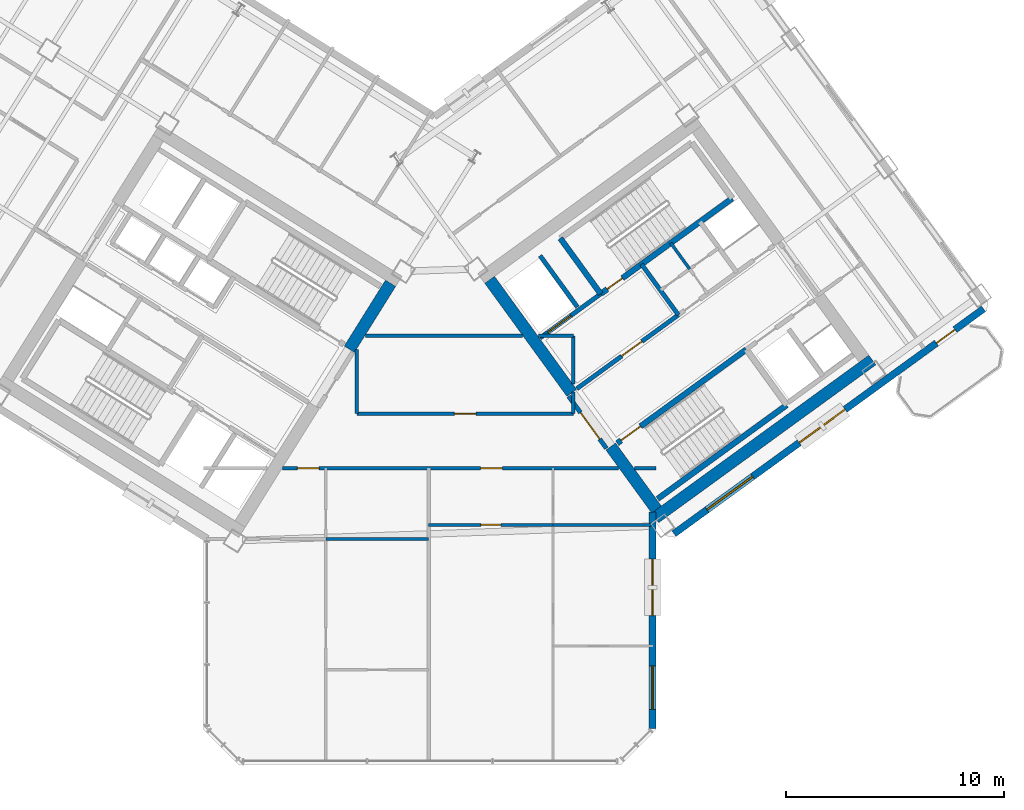
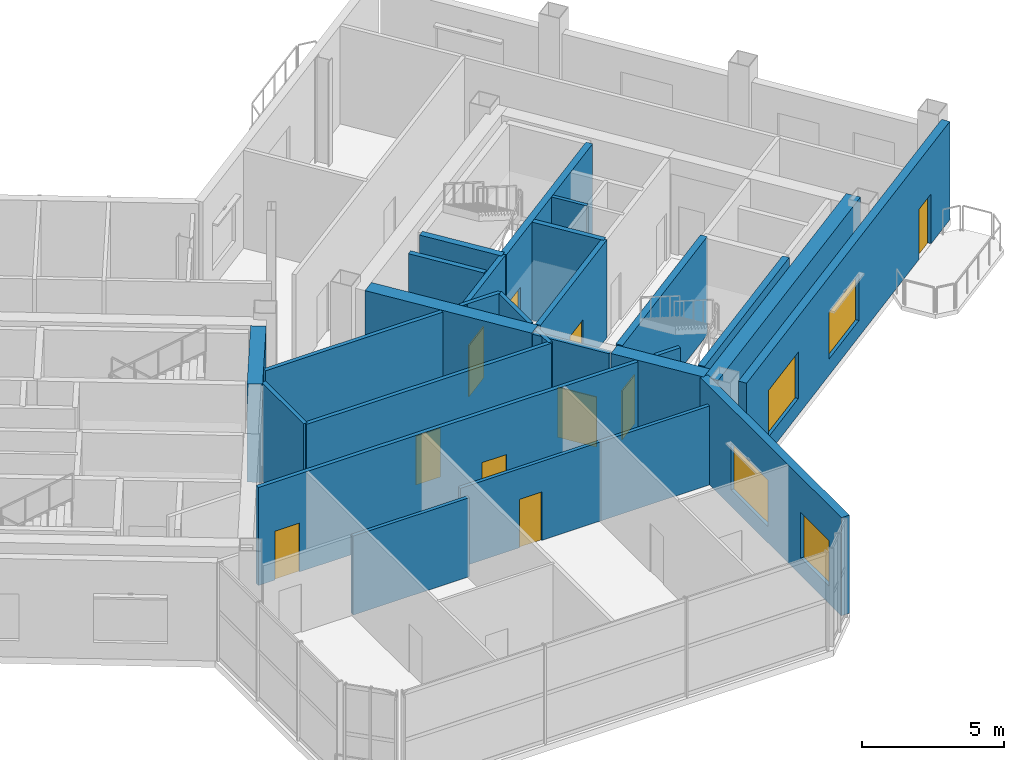
# One storey, part 13 of 20: 27 walls, 10 doors, 4 windows, 14 openings.
"""IFC4 building model written with IfcOpenShell, lengths in metres."""

from ifc_helpers import new_model, si_unit, direction, frame, frame_2d, origin, place, context, subcontext, project, spatial, rectangle, extrude, source, transform, mapped, material, layer, layer_set, type_object, element, fill, save


model = new_model("IFC4")

# Units and contexts
model_context = context("Model", 3, precision=1e-05, world=origin(), true_north=direction((0.0, 1.0)))
body_context = subcontext(model_context, "Body", "Model", "MODEL_VIEW")
ifc_project = project(units=[si_unit("LENGTHUNIT", "METRE"), si_unit("AREAUNIT", "SQUARE_METRE"), si_unit("VOLUMEUNIT", "CUBIC_METRE"), si_unit("PLANEANGLEUNIT", "RADIAN"), si_unit("MASSUNIT", "GRAM", prefix="KILO")], contexts=[model_context])

# Site, building, storey
site_placement = place(None, origin())
site = spatial("IfcSite", under=ifc_project, at=site_placement, CompositionType="ELEMENT")
building_placement = place(site_placement, origin())
building = spatial("IfcBuilding", under=site, at=building_placement, Name="Tlacorven Tower", CompositionType="ELEMENT")
storey_placement = place(building_placement, frame((0.0, 0.0, 195.0)))
storey = spatial("IfcBuildingStorey", under=building, at=storey_placement, Name="L49", CompositionType="ELEMENT", Elevation=195.0)

# Walls
ifc_material_1 = material(Name="Concrete C60/75", Category="concrete")
ifc_layer_1 = layer(ifc_material_1, 0.550048828125)
ifc_layer_set_1 = layer_set([ifc_layer_1], Name="Concrete C60/75")
wall_type_1 = type_object("IfcWallType", Name="WL-COR-550", PredefinedType="SHEAR", material=ifc_layer_set_1)
wall_1_placement = place(storey_placement, frame((40.194091796875, 23.92236328125, 0.0), z_axis=(0.0, 0.0, 1.0), x_axis=(-0.529888438328, -0.848067357541, 0.0)))
element("IfcWall", 1, at=wall_1_placement, inside=storey, type_object=wall_type_1, Name="L49 W core end wall E1.1", PredefinedType="SHEAR", context=body_context, shape_type="SweptSolid", body=[
    extrude(rectangle(XDim=3.574951171875, YDim=0.550048828125, at=frame_2d((1.78759765625, 0.0))), origin(), (0.0, 0.0, 1.0), 4.219970703125),
])
wall_2_placement = place(storey_placement, frame((52.35888671875, 13.1396484375, 0.0), z_axis=(0.0, 0.0, 1.0), x_axis=(0.809014896919, 0.587788139183, 0.0)))
element("IfcWall", 2, at=wall_2_placement, inside=storey, type_object=wall_type_1, Name="L49 E core shear wall S1", PredefinedType="SHEAR", context=body_context, shape_type="SweptSolid", body=[
    extrude(rectangle(XDim=12.340087890625, YDim=0.550048828125, at=frame_2d((6.169921875, 0.0))), origin(), (0.0, 0.0, 1.0), 4.219970703125),
])
wall_3_placement = place(storey_placement, frame((52.419677734375, 13.52392578125, 0.0), z_axis=(0.0, 0.0, 1.0), x_axis=(-0.587802113096, 0.809004744015, 0.0)))
element("IfcWall", 3, at=wall_3_placement, inside=storey, type_object=wall_type_1, Name="L49 E core end wall E1.1", PredefinedType="SHEAR", context=body_context, shape_type="SweptSolid", body=[
    extrude(rectangle(XDim=3.574951171875, YDim=0.550048828125, at=frame_2d((1.78759765625, 0.0))), origin(), (0.0, 0.0, 1.0), 4.219970703125),
])
wall_4_placement = place(storey_placement, frame((48.525634765625, 18.883544921875, 0.0), z_axis=(0.0, 0.0, 1.0), x_axis=(-0.587764933797, 0.809031756236, 0.0)))
element("IfcWall", 4, at=wall_4_placement, inside=storey, type_object=wall_type_1, Name="L49 E core end wall E1.2", PredefinedType="SHEAR", context=body_context, shape_type="SweptSolid", body=[
    extrude(rectangle(XDim=6.425048828125, YDim=0.550048828125, at=frame_2d((3.21240234375, 0.0))), origin(), (0.0, 0.0, 1.0), 4.219970703125),
])

# Wall, openings, doors
ifc_material_2 = material(Name="Gypsum plasterboard acoustic partition", Category="gypsum")
ifc_layer_2 = layer(ifc_material_2, 0.159912109375)
ifc_layer_set_2 = layer_set([ifc_layer_2], Name="Gypsum plasterboard acoustic partition")
wall_type_2 = type_object("IfcWallType", Name="WL-DEM-160", PredefinedType="PARTITIONING", material=ifc_layer_set_2)
wall_5_placement = place(storey_placement, frame((35.2373046875, 15.419921875, 0.0), z_axis=(0.0, 0.0, 1.0), x_axis=(1.0, 0.0, 0.0)))
wall_5 = element("IfcWall", 5, at=wall_5_placement, inside=storey, type_object=wall_type_2, Name="L49 Knuckle Corridor South Wall", PredefinedType="PARTITIONING", context=body_context, shape_type="SweptSolid", body=[
    extrude(rectangle(XDim=15.431640625, YDim=0.159912109375, at=frame_2d((7.7158203125, 0.0))), origin(), (0.0, 0.0, 1.0), 4.2099609375),
])
opening_1_placement = place(wall_5_placement, frame((0.673583984375, 0.0, 0.0)))
opening_1 = element("IfcOpeningElement", 6, at=opening_1_placement, cuts=wall_5, Name="Opening D11", PredefinedType="OPENING", context=body_context, shape_type="SweptSolid", body=[
    extrude(rectangle(XDim=1.0, YDim=2.10009765625, at=frame_2d((0.5, 1.050048828125))), frame((0.0, 0.08984375, 0.0), z_axis=(0.0, -1.0, 0.0), x_axis=(1.0, 0.0, 0.0)), (0.0, 0.0, 1.0), 0.179931640625),
])
opening_2_placement = place(wall_5_placement, frame((9.093994140625, 0.0, 0.0)))
opening_2 = element("IfcOpeningElement", 7, at=opening_2_placement, cuts=wall_5, Name="Opening D11", PredefinedType="OPENING", context=body_context, shape_type="SweptSolid", body=[
    extrude(rectangle(XDim=1.0, YDim=2.10009765625, at=frame_2d((0.5, 1.050048828125))), frame((0.0, 0.08984375, 0.0), z_axis=(0.0, -1.0, 0.0), x_axis=(1.0, 0.0, 0.0)), (0.0, 0.0, 1.0), 0.179931640625),
])
ifc_material_3 = material(Name="Fire-rated steel door assembly", Category="steel")
door_type_1 = type_object("IfcDoorType", Name="DR-FLT-FD60-1000", OperationType="NOTDEFINED", PredefinedType="DOOR", material=ifc_material_3)
shared_shape_1 = source(origin(), body_context, "Body", "SweptSolid", [
    extrude(rectangle(XDim=1.0, YDim=2.10009765625, at=frame_2d((0.5, 1.050048828125))), frame((0.0, 0.02490234375, 0.0), z_axis=(0.0, -1.0, 0.0), x_axis=(1.0, 0.0, 0.0)), (0.0, 0.0, 1.0), 0.050048828125),
])
door_1_placement = place(opening_1_placement, frame((1.0, 0.0, 0.0), z_axis=(0.0, 0.0, 1.0), x_axis=(-1.0, 0.0, 0.0)))
door_1 = element("IfcDoor", 8, at=door_1_placement, inside=storey, type_object=door_type_1, Name="L49 door 040", OperationType="SINGLE_SWING_RIGHT", OverallHeight=2.10009765625, OverallWidth=1.0, PredefinedType="DOOR", context=body_context, shape_type="MappedRepresentation", body=[
    mapped(shared_shape_1, transform((0.0, 0.0, 0.0), scale=1.0)),
])
fill(opening_1, door_1)
door_2_placement = place(opening_2_placement, frame((1.0, 0.0, 0.0), z_axis=(0.0, 0.0, 1.0), x_axis=(-1.0, 0.0, 0.0)))
door_2 = element("IfcDoor", 9, at=door_2_placement, inside=storey, type_object=door_type_1, Name="L49 door 045", OperationType="SINGLE_SWING_LEFT", OverallHeight=2.10009765625, OverallWidth=1.0, PredefinedType="DOOR", context=body_context, shape_type="MappedRepresentation", body=[
    mapped(shared_shape_1, transform((0.0, 0.0, 0.0), scale=1.0)),
])
fill(opening_2, door_2)

# Wall
wall_6_placement = place(storey_placement, frame((51.41552734375, 15.419921875, 0.0), z_axis=(0.0, 0.0, 1.0), x_axis=(1.0, 0.0, 0.0)))
element("IfcWall", 10, at=wall_6_placement, inside=storey, type_object=wall_type_2, Name="L49 Knuckle Corridor South Wall", PredefinedType="PARTITIONING", context=body_context, shape_type="SweptSolid", body=[
    extrude(rectangle(XDim=0.984375, YDim=0.159912109375, at=frame_2d((0.4921875, 0.0))), origin(), (0.0, 0.0, 1.0), 4.2099609375),
])

# Wall, opening, door
wall_7_placement = place(storey_placement, frame((38.64990234375, 17.929931640625, 0.0), z_axis=(0.0, 0.0, 1.0), x_axis=(1.0, 0.0, 0.0)))
wall_7 = element("IfcWall", 11, at=wall_7_placement, inside=storey, type_object=wall_type_2, Name="L49 partition 64", PredefinedType="PARTITIONING", context=body_context, shape_type="SweptSolid", body=[
    extrude(rectangle(XDim=9.9501953125, YDim=0.159912109375, at=frame_2d((4.97509765625, 0.0))), origin(), (0.0, 0.0, 1.0), 4.2099609375),
])
opening_3_placement = place(wall_7_placement, frame((4.47509765625, 0.0, 0.0)))
opening_3 = element("IfcOpeningElement", 12, at=opening_3_placement, cuts=wall_7, Name="Opening D11", PredefinedType="OPENING", context=body_context, shape_type="SweptSolid", body=[
    extrude(rectangle(XDim=1.0, YDim=2.10009765625, at=frame_2d((0.5, 1.050048828125))), frame((0.0, 0.08984375, 0.0), z_axis=(0.0, -1.0, 0.0), x_axis=(1.0, 0.0, 0.0)), (0.0, 0.0, 1.0), 0.179931640625),
])
door_3_placement = place(opening_3_placement, origin())
door_3 = element("IfcDoor", 13, at=door_3_placement, inside=storey, type_object=door_type_1, Name="L49 door 035", OperationType="SINGLE_SWING_LEFT", OverallHeight=2.10009765625, OverallWidth=1.0, PredefinedType="DOOR", context=body_context, shape_type="MappedRepresentation", body=[
    mapped(shared_shape_1, transform((0.0, 0.0, 0.0), scale=1.0)),
])
fill(opening_3, door_3)

# Walls
wall_8_placement = place(storey_placement, frame((38.64990234375, 17.929931640625, 0.0), z_axis=(0.0, 0.0, 1.0), x_axis=(0.0, 1.0, 0.0)))
element("IfcWall", 14, at=wall_8_placement, inside=storey, type_object=wall_type_2, Name="L49 partition 65", PredefinedType="PARTITIONING", context=body_context, shape_type="SweptSolid", body=[
    extrude(rectangle(XDim=2.951416015625, YDim=0.159912109375, at=frame_2d((1.4755859375, 0.0))), origin(), (0.0, 0.0, 1.0), 4.2099609375),
])
wall_9_placement = place(storey_placement, frame((48.60009765625, 17.929931640625, 0.0), z_axis=(0.0, 0.0, 1.0), x_axis=(0.0, 1.0, 0.0)))
element("IfcWall", 15, at=wall_9_placement, inside=storey, type_object=wall_type_2, Name="L49 partition 66", PredefinedType="PARTITIONING", context=body_context, shape_type="SweptSolid", body=[
    extrude(rectangle(XDim=0.99267578125, YDim=0.159912109375, at=frame_2d((0.496337890625, 0.0))), origin(), (0.0, 0.0, 1.0), 4.2099609375),
])
wall_10_placement = place(storey_placement, frame((48.60009765625, 19.295166015625, 0.0), z_axis=(0.0, 0.0, 1.0), x_axis=(0.0, 1.0, 0.0)))
element("IfcWall", 16, at=wall_10_placement, inside=storey, type_object=wall_type_2, Name="L49 partition 66", PredefinedType="PARTITIONING", context=body_context, shape_type="SweptSolid", body=[
    extrude(rectangle(XDim=2.204833984375, YDim=0.159912109375, at=frame_2d((1.1025390625, 0.0))), origin(), (0.0, 0.0, 1.0), 4.2099609375),
])
wall_11_placement = place(storey_placement, frame((39.03662109375, 21.5, 0.0), z_axis=(0.0, 0.0, 1.0), x_axis=(1.0, 0.0, 0.0)))
element("IfcWall", 17, at=wall_11_placement, inside=storey, type_object=wall_type_2, Name="L49 partition 67", PredefinedType="PARTITIONING", context=body_context, shape_type="SweptSolid", body=[
    extrude(rectangle(XDim=7.21484375, YDim=0.159912109375, at=frame_2d((3.607421875, 0.0))), origin(), (0.0, 0.0, 1.0), 4.2099609375),
])
wall_12_placement = place(storey_placement, frame((46.998046875, 21.5, 0.0), z_axis=(0.0, 0.0, 1.0), x_axis=(1.0, 0.0, 0.0)))
element("IfcWall", 18, at=wall_12_placement, inside=storey, type_object=wall_type_2, Name="L49 partition 67", PredefinedType="PARTITIONING", context=body_context, shape_type="SweptSolid", body=[
    extrude(rectangle(XDim=1.60205078125, YDim=0.159912109375, at=frame_2d((0.801025390625, 0.0))), origin(), (0.0, 0.0, 1.0), 4.2099609375),
])

# Wall, openings, door, windows
ifc_material_4 = material(Name="Precast concrete C45/55", Category="concrete")
ifc_layer_3 = layer(ifc_material_4, 0.320068359375)
ifc_layer_set_3 = layer_set([ifc_layer_3], Name="Precast concrete C45/55")
wall_type_3 = type_object("IfcWallType", Name="WL-EXT-320", PredefinedType="STANDARD", material=ifc_layer_set_3)
wall_13_placement = place(storey_placement, frame((67.45361328125, 22.746826171875, 0.0), z_axis=(0.0, 0.0, 1.0), x_axis=(-0.809021120468, -0.587779573171, 0.0)))
wall_13 = element("IfcWall", 19, at=wall_13_placement, inside=storey, type_object=wall_type_3, Name="L49 Masonry-Frame Recessed Facade Wall 6", PredefinedType="STANDARD", context=body_context, shape_type="SweptSolid", body=[
    extrude(rectangle(XDim=17.587646484375, YDim=0.320068359375, at=frame_2d((8.7939453125, 0.0))), origin(), (0.0, 0.0, 1.0), 4.219970703125),
])
opening_4_placement = place(wall_13_placement, frame((1.623779296875, 0.0, 0.0)))
opening_4 = element("IfcOpeningElement", 20, at=opening_4_placement, cuts=wall_13, Name="Opening D06", PredefinedType="OPENING", context=body_context, shape_type="SweptSolid", body=[
    extrude(rectangle(XDim=1.050048828125, YDim=2.14990234375, at=frame_2d((0.52490234375, 1.074951171875))), frame((0.0, 0.169921875, 0.0), z_axis=(0.0, -1.0, 0.0), x_axis=(1.0, 0.0, 0.0)), (0.0, 0.0, 1.0), 0.340087890625),
])
opening_5_placement = place(wall_13_placement, frame((7.86865234375, 0.0, 0.699951171875)))
opening_5 = element("IfcOpeningElement", 21, at=opening_5_placement, cuts=wall_13, Name="Opening WN10", PredefinedType="OPENING", context=body_context, shape_type="SweptSolid", body=[
    extrude(rectangle(XDim=2.60009765625, YDim=2.0, at=frame_2d((1.300048828125, 1.0))), frame((0.0, 0.169921875, 0.0), z_axis=(0.0, -1.0, 0.0), x_axis=(1.0, 0.0, 0.0)), (0.0, 0.0, 1.0), 0.340087890625),
])
opening_6_placement = place(wall_13_placement, frame((13.11865234375, 0.0, 0.699951171875)))
opening_6 = element("IfcOpeningElement", 22, at=opening_6_placement, cuts=wall_13, Name="Opening WN10", PredefinedType="OPENING", context=body_context, shape_type="SweptSolid", body=[
    extrude(rectangle(XDim=2.60009765625, YDim=2.0, at=frame_2d((1.300048828125, 1.0))), frame((0.0, 0.169921875, 0.0), z_axis=(0.0, -1.0, 0.0), x_axis=(1.0, 0.0, 0.0)), (0.0, 0.0, 1.0), 0.340087890625),
])
ifc_material_5 = material(Name="Powder-coated aluminium and timber door", Category="wood")
door_type_2 = type_object("IfcDoorType", Name="DR-EXT-BALC-1050", OperationType="NOTDEFINED", PredefinedType="DOOR", material=ifc_material_5)
shared_shape_2 = source(origin(), body_context, "Body", "SweptSolid", [
    extrude(rectangle(XDim=1.050048828125, YDim=2.14990234375, at=frame_2d((0.52490234375, 1.074951171875))), frame((0.0, 0.02490234375, 0.0), z_axis=(0.0, -1.0, 0.0), x_axis=(1.0, 0.0, 0.0)), (0.0, 0.0, 1.0), 0.050048828125),
])
door_4_placement = place(opening_4_placement, origin())
door_4 = element("IfcDoor", 23, at=door_4_placement, inside=storey, type_object=door_type_2, Name="L49 Outdoor Access Door BAL-L49-E-OUT", OperationType="SINGLE_SWING_LEFT", OverallHeight=2.14990234375, OverallWidth=1.050048828125, PredefinedType="DOOR", context=body_context, shape_type="MappedRepresentation", body=[
    mapped(shared_shape_2, transform((0.0, 0.0, 0.0), scale=1.0)),
])
fill(opening_4, door_4)
ifc_material_6 = material(Name="Dark solar low-E double glazing in anodised aluminium frame", Category="aluminium")
window_type_1 = type_object("IfcWindowType", Name="WN-COM-2600X2200", PartitioningType="SINGLE_PANEL", PredefinedType="WINDOW", material=ifc_material_6)
shared_shape_3 = source(origin(), body_context, "Body", "SweptSolid", [
    extrude(rectangle(XDim=2.60009765625, YDim=2.0, at=frame_2d((1.300048828125, 1.0))), frame((0.0, 0.030029296875, 0.0), z_axis=(0.0, -1.0, 0.0), x_axis=(1.0, 0.0, 0.0)), (0.0, 0.0, 1.0), 0.06005859375),
])
window_1_placement = place(opening_5_placement, origin())
window_1 = element("IfcWindow", 24, at=window_1_placement, inside=storey, type_object=window_type_1, Name="L49 Recessed Masonry-Frame Window L49-06.1", OverallHeight=2.0, OverallWidth=2.60009765625, PartitioningType="SINGLE_PANEL", PredefinedType="WINDOW", context=body_context, shape_type="MappedRepresentation", body=[
    mapped(shared_shape_3, transform((0.0, 0.0, 0.0), scale=1.0)),
])
fill(opening_5, window_1)
window_2_placement = place(opening_6_placement, origin())
window_2 = element("IfcWindow", 25, at=window_2_placement, inside=storey, type_object=window_type_1, Name="L49 Recessed Masonry-Frame Window L49-06.2", OverallHeight=2.0, OverallWidth=2.60009765625, PartitioningType="SINGLE_PANEL", PredefinedType="WINDOW", context=body_context, shape_type="MappedRepresentation", body=[
    mapped(shared_shape_3, transform((0.0, 0.0, 0.0), scale=1.0)),
])
fill(opening_6, window_2)

# Wall, openings, windows
wall_14_placement = place(storey_placement, frame((52.239990234375, 13.4140625, 0.0), z_axis=(0.0, 0.0, 1.0), x_axis=(0.0, -1.0, 0.0)))
wall_14 = element("IfcWall", 26, at=wall_14_placement, inside=storey, type_object=wall_type_3, Name="L49 Masonry-Frame Recessed Facade Wall 7", PredefinedType="STANDARD", context=body_context, shape_type="SweptSolid", body=[
    extrude(rectangle(XDim=9.94775390625, YDim=0.320068359375, at=frame_2d((4.973876953125, 0.0))), origin(), (0.0, 0.0, 1.0), 4.219970703125),
])
opening_7_placement = place(wall_14_placement, frame((2.16748046875, 0.0, 0.699951171875)))
opening_7 = element("IfcOpeningElement", 27, at=opening_7_placement, cuts=wall_14, Name="Opening WN10", PredefinedType="OPENING", context=body_context, shape_type="SweptSolid", body=[
    extrude(rectangle(XDim=2.60009765625, YDim=2.0, at=frame_2d((1.300048828125, 1.0))), frame((0.0, 0.169921875, 0.0), z_axis=(0.0, -1.0, 0.0), x_axis=(1.0, 0.0, 0.0)), (0.0, 0.0, 1.0), 0.340087890625),
])
opening_8_placement = place(wall_14_placement, frame((7.08349609375, 0.0, 0.75)))
opening_8 = element("IfcOpeningElement", 28, at=opening_8_placement, cuts=wall_14, Name="Opening WN11", PredefinedType="OPENING", context=body_context, shape_type="SweptSolid", body=[
    extrude(rectangle(XDim=2.0, YDim=1.949951171875, at=frame_2d((1.0, 0.97509765625))), frame((0.0, 0.169921875, 0.0), z_axis=(0.0, -1.0, 0.0), x_axis=(1.0, 0.0, 0.0)), (0.0, 0.0, 1.0), 0.340087890625),
])
window_3_placement = place(opening_7_placement, origin())
window_3 = element("IfcWindow", 29, at=window_3_placement, inside=storey, type_object=window_type_1, Name="L49 Recessed Masonry-Frame Window L49-07.1", OverallHeight=2.0, OverallWidth=2.60009765625, PartitioningType="SINGLE_PANEL", PredefinedType="WINDOW", context=body_context, shape_type="MappedRepresentation", body=[
    mapped(shared_shape_3, transform((0.0, 0.0, 0.0), scale=1.0)),
])
fill(opening_7, window_3)
window_type_2 = type_object("IfcWindowType", Name="WN-COM-2000X2100", PartitioningType="SINGLE_PANEL", PredefinedType="WINDOW", material=ifc_material_6)
shared_shape_4 = source(origin(), body_context, "Body", "SweptSolid", [
    extrude(rectangle(XDim=2.0, YDim=1.949951171875, at=frame_2d((1.0, 0.97509765625))), frame((0.0, 0.030029296875, 0.0), z_axis=(0.0, -1.0, 0.0), x_axis=(1.0, 0.0, 0.0)), (0.0, 0.0, 1.0), 0.06005859375),
])
window_4_placement = place(opening_8_placement, origin())
window_4 = element("IfcWindow", 30, at=window_4_placement, inside=storey, type_object=window_type_2, Name="L49 Recessed Masonry-Frame Window L49-07.2", OverallHeight=1.949951171875, OverallWidth=2.0, PartitioningType="SINGLE_PANEL", PredefinedType="WINDOW", context=body_context, shape_type="MappedRepresentation", body=[
    mapped(shared_shape_4, transform((0.0, 0.0, 0.0), scale=1.0)),
])
fill(opening_8, window_4)

# Walls
ifc_material_7 = material(Name="Moisture-resistant gypsum plumbing wall", Category="gypsum")
ifc_layer_4 = layer(ifc_material_7, 0.139892578125)
ifc_layer_set_4 = layer_set([ifc_layer_4], Name="Moisture-resistant gypsum plumbing wall")
wall_type_4 = type_object("IfcWallType", Name="WL-PLM-140", PredefinedType="PLUMBINGWALL", material=ifc_layer_set_4)
wall_15_placement = place(storey_placement, frame((53.94482421875, 24.575927734375, 0.0), z_axis=(0.0, 0.0, 1.0), x_axis=(-0.587897037186, 0.808935766095, 0.0)))
element("IfcWall", 31, at=wall_15_placement, inside=storey, type_object=wall_type_4, Name="L49 partition 43", PredefinedType="PLUMBINGWALL", context=body_context, shape_type="SweptSolid", body=[
    extrude(rectangle(XDim=1.47998046875, YDim=0.139892578125, at=frame_2d((0.739990234375, 0.0))), origin(), (0.0, 0.0, 1.0), 4.2099609375),
])
wall_16_placement = place(storey_placement, frame((37.221923828125, 12.169921875, 0.0), z_axis=(0.0, 0.0, 1.0), x_axis=(1.0, 0.0, 0.0)))
element("IfcWall", 32, at=wall_16_placement, inside=storey, type_object=wall_type_4, Name="L49 partition 72", PredefinedType="PLUMBINGWALL", context=body_context, shape_type="SweptSolid", body=[
    extrude(rectangle(XDim=4.72802734375, YDim=0.139892578125, at=frame_2d((2.364013671875, 0.0))), origin(), (0.0, 0.0, 1.0), 3.39501953125),
])

# Wall, opening, door
wall_17_placement = place(storey_placement, frame((41.949951171875, 12.820068359375, 0.0), z_axis=(0.0, 0.0, 1.0), x_axis=(1.0, 0.0, 0.0)))
wall_17 = element("IfcWall", 33, at=wall_17_placement, inside=storey, type_object=wall_type_4, Name="L49 partition 75", PredefinedType="PLUMBINGWALL", context=body_context, shape_type="SweptSolid", body=[
    extrude(rectangle(XDim=5.713134765625, YDim=0.139892578125, at=frame_2d((2.8564453125, 0.0))), origin(), (0.0, 0.0, 1.0), 3.39501953125),
])
opening_9_placement = place(wall_17_placement, frame((2.396484375, 0.0, 0.0)))
opening_9 = element("IfcOpeningElement", 34, at=opening_9_placement, cuts=wall_17, Name="Opening D12", PredefinedType="OPENING", context=body_context, shape_type="SweptSolid", body=[
    extrude(rectangle(XDim=0.919921875, YDim=2.080078125, at=frame_2d((0.4599609375, 1.0400390625))), frame((0.0, 0.080078125, 0.0), z_axis=(0.0, -1.0, 0.0), x_axis=(1.0, 0.0, 0.0)), (0.0, 0.0, 1.0), 0.159912109375),
])
door_type_3 = type_object("IfcDoorType", Name="DR-INT-ROOM-0920", OperationType="NOTDEFINED", PredefinedType="DOOR", material=ifc_material_5)
shared_shape_5 = source(origin(), body_context, "Body", "SweptSolid", [
    extrude(rectangle(XDim=0.919921875, YDim=2.080078125, at=frame_2d((0.4599609375, 1.0400390625))), frame((0.0, 0.02490234375, 0.0), z_axis=(0.0, -1.0, 0.0), x_axis=(1.0, 0.0, 0.0)), (0.0, 0.0, 1.0), 0.050048828125),
])
door_5_placement = place(opening_9_placement, frame((0.919921875, 0.0, 0.0), z_axis=(0.0, 0.0, 1.0), x_axis=(-1.0, 0.0, 0.0)))
door_5 = element("IfcDoor", 35, at=door_5_placement, inside=storey, type_object=door_type_3, Name="L49 door 046", OperationType="SINGLE_SWING_RIGHT", OverallHeight=2.080078125, OverallWidth=0.919921875, PredefinedType="DOOR", context=body_context, shape_type="MappedRepresentation", body=[
    mapped(shared_shape_5, transform((0.0, 0.0, 0.0), scale=1.0)),
])
fill(opening_9, door_5)

# Wall
wall_18_placement = place(storey_placement, frame((47.6630859375, 12.820068359375, 0.0), z_axis=(0.0, 0.0, 1.0), x_axis=(1.0, 0.0, 0.0)))
element("IfcWall", 36, at=wall_18_placement, inside=storey, type_object=wall_type_4, Name="L49 partition 76", PredefinedType="PLUMBINGWALL", context=body_context, shape_type="SweptSolid", body=[
    extrude(rectangle(XDim=4.499267578125, YDim=0.139892578125, at=frame_2d((2.24951171875, 0.0))), origin(), (0.0, 0.0, 1.0), 3.39501953125),
])

# Wall, opening, door
ifc_material_8 = material(Name="Concrete C40/50", Category="concrete")
ifc_layer_5 = layer(ifc_material_8, 0.199951171875)
ifc_layer_set_5 = layer_set([ifc_layer_5], Name="Concrete C40/50")
wall_type_5 = type_object("IfcWallType", Name="WL-SHF-200", PredefinedType="STANDARD", material=ifc_layer_set_5)
wall_19_placement = place(storey_placement, frame((47.0654296875, 21.4072265625, 0.0), z_axis=(0.0, 0.0, 1.0), x_axis=(0.809032984992, 0.587763242466, 0.0)))
wall_19 = element("IfcWall", 37, at=wall_19_placement, inside=storey, type_object=wall_type_5, Name="L49 Core E Firefighting Lift Shaft Front Wall", PredefinedType="STANDARD", context=body_context, shape_type="SweptSolid", body=[
    extrude(rectangle(XDim=3.447998046875, YDim=0.199951171875, at=frame_2d((1.72412109375, 0.0))), origin(), (0.0, 0.0, 1.0), 4.2099609375),
])
opening_10_placement = place(wall_19_placement, frame((0.4580078125, 0.0, 0.0)))
opening_10 = element("IfcOpeningElement", 38, at=opening_10_placement, cuts=wall_19, Name="Opening LD03", PredefinedType="OPENING", context=body_context, shape_type="SweptSolid", body=[
    extrude(rectangle(XDim=1.300048828125, YDim=2.199951171875, at=frame_2d((0.64990234375, 1.10009765625))), frame((0.0, 0.10986328125, 0.0), z_axis=(0.0, -1.0, 0.0), x_axis=(1.0, 0.0, 0.0)), (0.0, 0.0, 1.0), 0.219970703125),
])
door_type_4 = type_object("IfcDoorType", Name="DR-LFT-SLID-1300", OperationType="DOUBLE_DOOR_SLIDING", PredefinedType="DOOR", material=ifc_material_3)
shared_shape_6 = source(origin(), body_context, "Body", "SweptSolid", [
    extrude(rectangle(XDim=1.300048828125, YDim=2.199951171875, at=frame_2d((0.64990234375, 1.10009765625))), frame((0.0, 0.02490234375, 0.0), z_axis=(0.0, -1.0, 0.0), x_axis=(1.0, 0.0, 0.0)), (0.0, 0.0, 1.0), 0.050048828125),
])
door_6_placement = place(opening_10_placement, origin())
door_6 = element("IfcDoor", 39, at=door_6_placement, inside=storey, type_object=door_type_4, Name="L49 Lift FFL-E1 Sliding Landing Door", OperationType="DOUBLE_DOOR_SLIDING", OverallHeight=2.199951171875, OverallWidth=1.300048828125, PredefinedType="DOOR", context=body_context, shape_type="MappedRepresentation", body=[
    mapped(shared_shape_6, transform((0.0, 0.0, 0.0), scale=1.0)),
])
fill(opening_10, door_6)

wall_20_placement = place(storey_placement, frame((48.75830078125, 19.0771484375, 0.0), z_axis=(0.0, 0.0, 1.0), x_axis=(0.809005065155, 0.587801671104, 0.0)))
wall_20 = element("IfcWall", 40, at=wall_20_placement, inside=storey, type_object=wall_type_5, Name="L49 Core E Smoke Lobby Wall", PredefinedType="STANDARD", context=body_context, shape_type="SweptSolid", body=[
    extrude(rectangle(XDim=5.767822265625, YDim=0.199951171875, at=frame_2d((2.8837890625, 0.0))), origin(), (0.0, 0.0, 1.0), 4.2099609375),
])
opening_11_placement = place(wall_20_placement, frame((2.548095703125, 0.0, 0.0)))
opening_11 = element("IfcOpeningElement", 41, at=opening_11_placement, cuts=wall_20, Name="Opening D09", PredefinedType="OPENING", context=body_context, shape_type="SweptSolid", body=[
    extrude(rectangle(XDim=1.14990234375, YDim=2.10009765625, at=frame_2d((0.574951171875, 1.050048828125))), frame((0.0, 0.10986328125, 0.0), z_axis=(0.0, -1.0, 0.0), x_axis=(1.0, 0.0, 0.0)), (0.0, 0.0, 1.0), 0.219970703125),
])
door_type_5 = type_object("IfcDoorType", Name="DR-FFL-FD60-1150", OperationType="NOTDEFINED", PredefinedType="DOOR", material=ifc_material_3)
shared_shape_7 = source(origin(), body_context, "Body", "SweptSolid", [
    extrude(rectangle(XDim=1.14990234375, YDim=2.10009765625, at=frame_2d((0.574951171875, 1.050048828125))), frame((0.0, 0.02490234375, 0.0), z_axis=(0.0, -1.0, 0.0), x_axis=(1.0, 0.0, 0.0)), (0.0, 0.0, 1.0), 0.050048828125),
])
door_7_placement = place(opening_11_placement, origin())
door_7 = element("IfcDoor", 42, at=door_7_placement, inside=storey, type_object=door_type_5, Name="L49 Firefighting Lobby E Fire Door", OperationType="SINGLE_SWING_LEFT", OverallHeight=2.10009765625, OverallWidth=1.14990234375, PredefinedType="DOOR", context=body_context, shape_type="MappedRepresentation", body=[
    mapped(shared_shape_7, transform((0.0, 0.0, 0.0), scale=1.0)),
])
fill(opening_11, door_7)

# Walls
wall_21_placement = place(storey_placement, frame((48.78564453125, 22.830078125, 0.0), z_axis=(0.0, 0.0, 1.0), x_axis=(-0.587783856777, 0.809018008275, 0.0)))
element("IfcWall", 43, at=wall_21_placement, inside=storey, type_object=wall_type_5, Name="L49 partition 34", PredefinedType="STANDARD", context=body_context, shape_type="SweptSolid", body=[
    extrude(rectangle(XDim=2.919921875, YDim=0.199951171875, at=frame_2d((1.4599609375, 0.0))), origin(), (0.0, 0.0, 1.0), 4.2099609375),
])
wall_22_placement = place(storey_placement, frame((53.424560546875, 22.467529296875, 0.0), z_axis=(0.0, 0.0, 1.0), x_axis=(-0.5877230039, 0.809062216821, 0.0)))
element("IfcWall", 44, at=wall_22_placement, inside=storey, type_object=wall_type_5, Name="L49 partition 39", PredefinedType="STANDARD", context=body_context, shape_type="SweptSolid", body=[
    extrude(rectangle(XDim=2.8798828125, YDim=0.199951171875, at=frame_2d((1.43994140625, 0.0))), origin(), (0.0, 0.0, 1.0), 4.2099609375),
])

# Wall, opening, door
wall_23_placement = place(storey_placement, frame((50.119140625, 16.3330078125, 0.0), z_axis=(0.0, 0.0, 1.0), x_axis=(-0.587749856981, 0.809042709391, 0.0)))
wall_23 = element("IfcWall", 45, at=wall_23_placement, inside=storey, type_object=wall_type_5, Name="L49 partition 68", PredefinedType="STANDARD", context=body_context, shape_type="SweptSolid", body=[
    extrude(rectangle(XDim=2.9599609375, YDim=0.199951171875, at=frame_2d((1.47998046875, 0.0))), origin(), (0.0, 0.0, 1.0), 4.2099609375),
])
opening_12_placement = place(wall_23_placement, frame((0.530029296875, 0.0, 0.0)))
opening_12 = element("IfcOpeningElement", 46, at=opening_12_placement, cuts=wall_23, Name="Opening D10", PredefinedType="OPENING", context=body_context, shape_type="SweptSolid", body=[
    extrude(rectangle(XDim=1.5, YDim=2.14990234375, at=frame_2d((0.75, 1.074951171875))), frame((0.0, 0.10986328125, 0.0), z_axis=(0.0, -1.0, 0.0), x_axis=(1.0, 0.0, 0.0)), (0.0, 0.0, 1.0), 0.219970703125),
])
door_type_6 = type_object("IfcDoorType", Name="DR-LOB-FD60-1500", OperationType="DOUBLE_DOOR_SINGLE_SWING", PredefinedType="DOOR", material=ifc_material_3)
shared_shape_8 = source(origin(), body_context, "Body", "SweptSolid", [
    extrude(rectangle(XDim=1.5, YDim=2.14990234375, at=frame_2d((0.75, 1.074951171875))), frame((0.0, 0.02490234375, 0.0), z_axis=(0.0, -1.0, 0.0), x_axis=(1.0, 0.0, 0.0)), (0.0, 0.0, 1.0), 0.050048828125),
])
door_8_placement = place(opening_12_placement, frame((1.5, 0.0, 0.0), z_axis=(0.0, 0.0, 1.0), x_axis=(-1.0, 0.0, 0.0)))
door_8 = element("IfcDoor", 47, at=door_8_placement, inside=storey, type_object=door_type_6, Name="L49 door 037", OperationType="DOUBLE_DOOR_SINGLE_SWING", OverallHeight=2.14990234375, OverallWidth=1.5, PredefinedType="DOOR", context=body_context, shape_type="MappedRepresentation", body=[
    mapped(shared_shape_8, transform((0.0, 0.0, 0.0), scale=1.0)),
])
fill(opening_12, door_8)

ifc_material_9 = material(Name="Concrete C50/60", Category="concrete")
ifc_layer_6 = layer(ifc_material_9, 0.260009765625)
ifc_layer_set_6 = layer_set([ifc_layer_6], Name="Concrete C50/60")
wall_type_6 = type_object("IfcWallType", Name="WL-STW-260", PredefinedType="SHEAR", material=ifc_layer_set_6)
wall_24_placement = place(storey_placement, frame((49.863037109375, 23.439697265625, 0.0), z_axis=(0.0, 0.0, 1.0), x_axis=(0.809003474932, 0.587803859759, 0.0)))
wall_24 = element("IfcWall", 48, at=wall_24_placement, inside=storey, type_object=wall_type_6, Name="L49 Stair E1 Lobby Shear Wall", PredefinedType="SHEAR", context=body_context, shape_type="SweptSolid", body=[
    extrude(rectangle(XDim=7.4599609375, YDim=0.260009765625, at=frame_2d((3.72998046875, 0.0))), origin(), (0.0, 0.0, 1.0), 4.219970703125),
])
opening_13_placement = place(wall_24_placement, frame((0.360107421875, 0.0, 0.0)))
opening_13 = element("IfcOpeningElement", 49, at=opening_13_placement, cuts=wall_24, Name="Opening D19", PredefinedType="OPENING", context=body_context, shape_type="SweptSolid", body=[
    extrude(rectangle(XDim=0.860107421875, YDim=2.050048828125, at=frame_2d((0.43017578125, 1.02490234375))), frame((0.0, 0.14013671875, 0.0), z_axis=(0.0, -1.0, 0.0), x_axis=(1.0, 0.0, 0.0)), (0.0, 0.0, 1.0), 0.280029296875),
])
door_type_7 = type_object("IfcDoorType", Name="DR-RSR-FD60-0860", OperationType="NOTDEFINED", PredefinedType="DOOR", material=ifc_material_3)
shared_shape_9 = source(origin(), body_context, "Body", "SweptSolid", [
    extrude(rectangle(XDim=0.860107421875, YDim=2.050048828125, at=frame_2d((0.43017578125, 1.02490234375))), frame((0.0, 0.02490234375, 0.0), z_axis=(0.0, -1.0, 0.0), x_axis=(1.0, 0.0, 0.0)), (0.0, 0.0, 1.0), 0.050048828125),
])
door_9_placement = place(opening_13_placement, frame((0.860107421875, 0.0, 0.0), z_axis=(0.0, 0.0, 1.0), x_axis=(-1.0, 0.0, 0.0)))
door_9 = element("IfcDoor", 50, at=door_9_placement, inside=storey, type_object=door_type_7, Name="L49 Exit Stair E1 Fire Door", OperationType="SINGLE_SWING_LEFT", OverallHeight=2.050048828125, OverallWidth=0.860107421875, PredefinedType="DOOR", context=body_context, shape_type="MappedRepresentation", body=[
    mapped(shared_shape_9, transform((0.0, 0.0, 0.0), scale=1.0)),
])
fill(opening_13, door_9)

# Walls
wall_25_placement = place(storey_placement, frame((49.85498046875, 23.433837890625, 0.0), z_axis=(0.0, 0.0, 1.0), x_axis=(-0.58776738483, 0.809029975545, 0.0)))
element("IfcWall", 51, at=wall_25_placement, inside=storey, type_object=wall_type_6, Name="L49 Stair E1 West Shear Wall", PredefinedType="SHEAR", context=body_context, shape_type="SweptSolid", body=[
    extrude(rectangle(XDim=3.16015625, YDim=0.260009765625, at=frame_2d((1.580078125, 0.0))), origin(), (0.0, 0.0, 1.0), 4.219970703125),
])
wall_26_placement = place(storey_placement, frame((52.47216796875, 14.01318359375, 0.0), z_axis=(0.0, 0.0, 1.0), x_axis=(0.809028366311, 0.587769599847, 0.0)))
element("IfcWall", 52, at=wall_26_placement, inside=storey, type_object=wall_type_6, Name="L49 Stair E2 Far Shear Wall", PredefinedType="SHEAR", context=body_context, shape_type="SweptSolid", body=[
    extrude(rectangle(XDim=7.330078125, YDim=0.260009765625, at=frame_2d((3.6650390625, 0.0))), origin(), (0.0, 0.0, 1.0), 4.219970703125),
])

# Wall, opening, door
wall_27_placement = place(storey_placement, frame((50.61474609375, 16.569580078125, 0.0), z_axis=(0.0, 0.0, 1.0), x_axis=(0.809028366311, 0.587769599847, 0.0)))
wall_27 = element("IfcWall", 53, at=wall_27_placement, inside=storey, type_object=wall_type_6, Name="L49 Stair E2 Lobby Shear Wall", PredefinedType="SHEAR", context=body_context, shape_type="SweptSolid", body=[
    extrude(rectangle(XDim=7.330078125, YDim=0.260009765625, at=frame_2d((3.6650390625, 0.0))), origin(), (0.0, 0.0, 1.0), 4.219970703125),
])
opening_14_placement = place(wall_27_placement, frame((0.219970703125, 0.0, 0.0)))
opening_14 = element("IfcOpeningElement", 54, at=opening_14_placement, cuts=wall_27, Name="Opening D07", PredefinedType="OPENING", context=body_context, shape_type="SweptSolid", body=[
    extrude(rectangle(XDim=1.10009765625, YDim=2.10009765625, at=frame_2d((0.550048828125, 1.050048828125))), frame((0.0, 0.14013671875, 0.0), z_axis=(0.0, -1.0, 0.0), x_axis=(1.0, 0.0, 0.0)), (0.0, 0.0, 1.0), 0.280029296875),
])
door_type_8 = type_object("IfcDoorType", Name="DR-STR-FD90-1100", OperationType="NOTDEFINED", PredefinedType="DOOR", material=ifc_material_3)
shared_shape_10 = source(origin(), body_context, "Body", "SweptSolid", [
    extrude(rectangle(XDim=1.10009765625, YDim=2.10009765625, at=frame_2d((0.550048828125, 1.050048828125))), frame((0.0, 0.02490234375, 0.0), z_axis=(0.0, -1.0, 0.0), x_axis=(1.0, 0.0, 0.0)), (0.0, 0.0, 1.0), 0.050048828125),
])
door_10_placement = place(opening_14_placement, origin())
door_10 = element("IfcDoor", 55, at=door_10_placement, inside=storey, type_object=door_type_8, Name="L49 Exit Stair E2 Fire Door", OperationType="SINGLE_SWING_RIGHT", OverallHeight=2.10009765625, OverallWidth=1.10009765625, PredefinedType="DOOR", context=body_context, shape_type="MappedRepresentation", body=[
    mapped(shared_shape_10, transform((0.0, 0.0, 0.0), scale=1.0)),
])
fill(opening_14, door_10)

save(model, "model.ifc")
